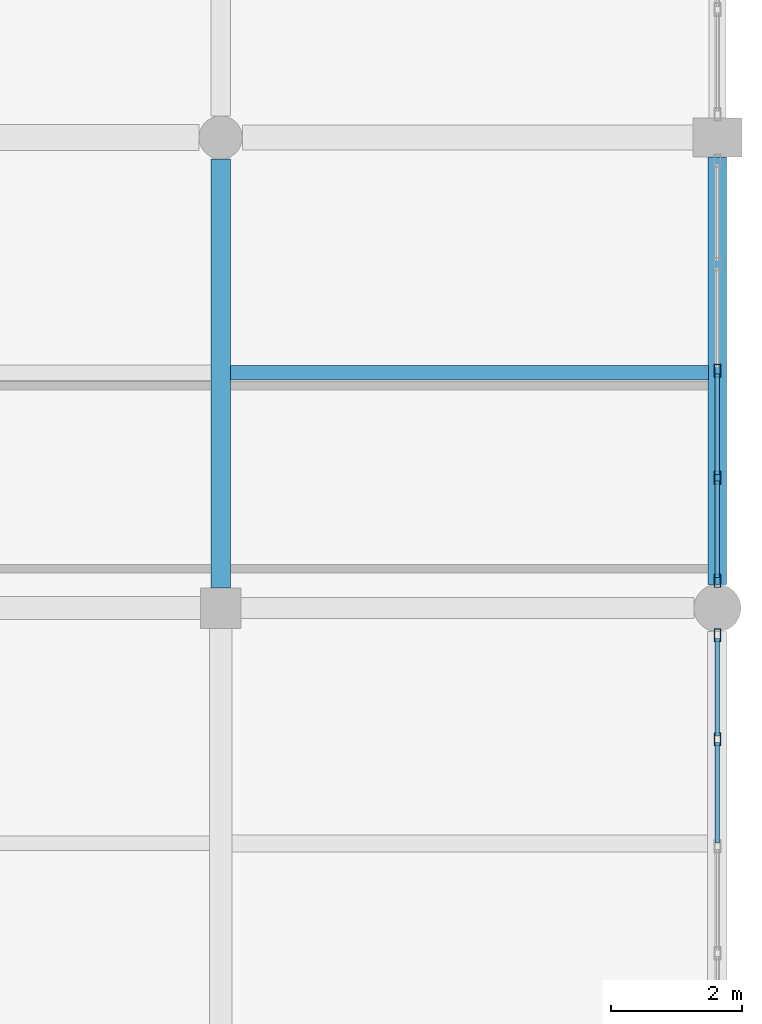
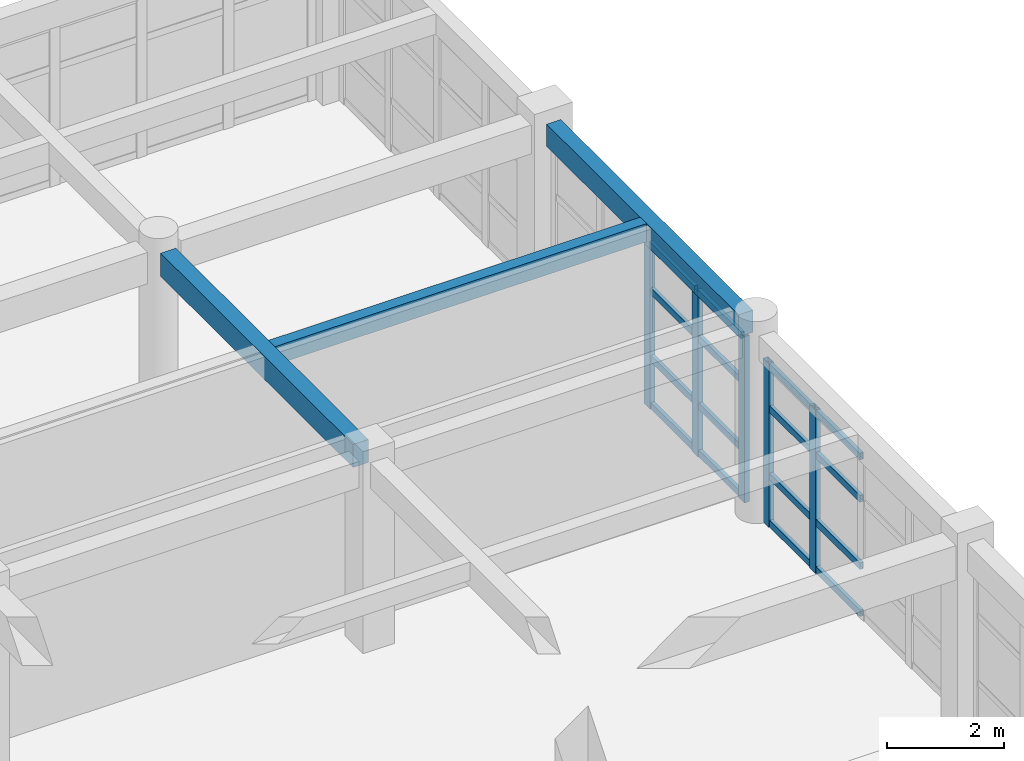
# One storey, part 139 of 195: 21 members, 3 beams, 2 elements without a shape of their own.
"""IFC4 building model written with IfcOpenShell, lengths in metres."""

from ifc_helpers import new_model, si_unit, direction, frame, origin, origin_2d, place, context, subcontext, project, spatial, rectangle, hollow_rectangle, extrude, material, material_profile, profile_set, type_object, element, aggregate, save


model = new_model("IFC4")

# Units and contexts
model_context = context("Model", 3, precision=1e-05, world=origin(), true_north=direction((0.0, 1.0)))
body_context = subcontext(model_context, "Body", "Model", "MODEL_VIEW")
ifc_project = project(units=[si_unit("LENGTHUNIT", "METRE"), si_unit("AREAUNIT", "SQUARE_METRE"), si_unit("VOLUMEUNIT", "CUBIC_METRE"), si_unit("PLANEANGLEUNIT", "RADIAN"), si_unit("MASSUNIT", "GRAM", prefix="KILO")], contexts=[model_context])

# Site, building, storey
site_placement = place(None, origin())
site = spatial("IfcSite", under=ifc_project, at=site_placement, CompositionType="ELEMENT")
building_placement = place(site_placement, origin())
building = spatial("IfcBuilding", under=site, at=building_placement, Name="Kharva Crest Polytechnic", CompositionType="ELEMENT")
storey_placement = place(building_placement, frame((0.0, 0.0, 9.0)))
storey = spatial("IfcBuildingStorey", under=building, at=storey_placement, Name="L02", CompositionType="ELEMENT", Elevation=9.0)

# Beam
ifc_material_1 = material(Name="Concrete C35/45", Category="concrete")
ifc_material_profile_1 = material_profile(ifc_material_1, rectangle(XDim=0.300048828125, YDim=0.47998046875, at=origin_2d()), Name="RECT 300 X 480")
ifc_profile_set_1 = profile_set([ifc_material_profile_1], Name="Concrete C35/45")
beam_type_1 = type_object("IfcBeamType", Name="BM-RC-300X480", PredefinedType="BEAM", material=ifc_profile_set_1)
beam_1_placement = place(storey_placement, frame((176.39990234375, 107.909912109375, 3.679931640625), z_axis=(0.0, 1.0, 0.0), x_axis=(-1.0, 0.0, 0.0)))
element("IfcBeam", 1, at=beam_1_placement, inside=storey, type_object=beam_type_1, Name="L02 Girder 23/Q-R", PredefinedType="BEAM", context=body_context, shape_type="SweptSolid", body=[
    extrude(rectangle(XDim=0.300048828125, YDim=0.47998046875, at=origin_2d()), origin(), (0.0, 0.0, 1.0), 6.56005859375),
])

# Curtain wall, members
ifc_material_2 = material(Name="Tempered insulated glass", Category="glass")
curtain_wall_type = type_object("IfcCurtainWallType", Name="CW-SYS-LIBRARY", PredefinedType="USERDEFINED", material=ifc_material_2)
curtain_wall_1_placement = place(storey_placement, origin())
curtain_wall_1 = element("IfcCurtainWall", 2, at=curtain_wall_1_placement, inside=storey, type_object=curtain_wall_type, Name="L02 Glazed Curtain Wall CW-110", ObjectType="CURTAIN WALL", PredefinedType="USERDEFINED")
ifc_material_3 = material(Name="Steel S355", Category="steel")
ifc_material_profile_2 = material_profile(ifc_material_3, hollow_rectangle(XDim=0.10009765625, YDim=0.199951171875, WallThickness=0.00634765625, at=origin_2d()), Name="RHS 200X100X6.3")
ifc_profile_set_2 = profile_set([ifc_material_profile_2], Name="Steel S355")
member_type_1 = type_object("IfcMemberType", Name="CWM-RHS200X100", PredefinedType="MULLION", material=ifc_profile_set_2)
member_1_placement = place(storey_placement, frame((184.0, 105.59619140625, 0.0), z_axis=(0.0, 0.0, 1.0), x_axis=(-1.0, 0.0, 0.0)))
member_1 = element("IfcMember", 3, at=member_1_placement, type_object=member_type_1, Name="CW-110 mullion 4", PredefinedType="MULLION", context=body_context, shape_type="SweptSolid", body=[
    extrude(hollow_rectangle(XDim=0.10009765625, YDim=0.199951171875, WallThickness=0.00634765625, at=origin_2d()), origin(), (0.0, 0.0, 1.0), 3.39990234375),
])
member_2_placement = place(storey_placement, frame((184.0, 107.18505859375, 0.0), z_axis=(0.0, 0.0, 1.0), x_axis=(-1.0, 0.0, 0.0)))
member_2 = element("IfcMember", 4, at=member_2_placement, type_object=member_type_1, Name="CW-110 mullion 5", PredefinedType="MULLION", context=body_context, shape_type="SweptSolid", body=[
    extrude(hollow_rectangle(XDim=0.10009765625, YDim=0.199951171875, WallThickness=0.00634765625, at=origin_2d()), origin(), (0.0, 0.0, 1.0), 3.39990234375),
])

curtain_wall_2_placement = place(storey_placement, origin())
curtain_wall_2 = element("IfcCurtainWall", 5, at=curtain_wall_2_placement, inside=storey, type_object=curtain_wall_type, Name="L02 Glazed Curtain Wall CW-111", ObjectType="CURTAIN WALL", PredefinedType="USERDEFINED")
member_3_placement = place(storey_placement, frame((184.0, 108.014892578125, 0.0), z_axis=(0.0, 0.0, 1.0), x_axis=(-1.0, 0.0, 0.0)))
member_3 = element("IfcMember", 6, at=member_3_placement, type_object=member_type_1, Name="CW-111 mullion 1", PredefinedType="MULLION", context=body_context, shape_type="SweptSolid", body=[
    extrude(hollow_rectangle(XDim=0.10009765625, YDim=0.199951171875, WallThickness=0.00634765625, at=origin_2d()), origin(), (0.0, 0.0, 1.0), 3.4599609375),
])
member_4_placement = place(storey_placement, frame((184.0, 109.597412109375, 0.0), z_axis=(0.0, 0.0, 1.0), x_axis=(-1.0, 0.0, 0.0)))
member_4 = element("IfcMember", 7, at=member_4_placement, type_object=member_type_1, Name="CW-111 mullion 2", PredefinedType="MULLION", context=body_context, shape_type="SweptSolid", body=[
    extrude(hollow_rectangle(XDim=0.10009765625, YDim=0.199951171875, WallThickness=0.00634765625, at=origin_2d()), origin(), (0.0, 0.0, 1.0), 3.4599609375),
])
member_5_placement = place(storey_placement, frame((184.0, 111.22998046875, 0.0), z_axis=(0.0, 0.0, 1.0), x_axis=(-1.0, 0.0, 0.0)))
member_5 = element("IfcMember", 8, at=member_5_placement, type_object=member_type_1, Name="CW-111 mullion 3", PredefinedType="MULLION", context=body_context, shape_type="SweptSolid", body=[
    extrude(hollow_rectangle(XDim=0.10009765625, YDim=0.199951171875, WallThickness=0.00634765625, at=origin_2d()), origin(), (0.0, 0.0, 1.0), 3.4599609375),
])

# Member
ifc_material_profile_3 = material_profile(ifc_material_3, hollow_rectangle(XDim=0.070068359375, YDim=0.139892578125, WallThickness=0.00390625, at=origin_2d()), Name="RHS 140X70X4.0")
ifc_profile_set_3 = profile_set([ifc_material_profile_3], Name="Steel S355")
member_type_2 = type_object("IfcMemberType", Name="CWT-RHS140X70", PredefinedType="USERDEFINED", material=ifc_profile_set_3)
member_6_placement = place(storey_placement, frame((184.0, 104.007568359375, 0.070068359375), z_axis=(0.0, 1.0, 0.0), x_axis=(-1.0, 0.0, 0.0)))
member_6 = element("IfcMember", 9, at=member_6_placement, type_object=member_type_2, Name="CW-110 transom 3.1", ObjectType="TRANSOM", PredefinedType="USERDEFINED", context=body_context, shape_type="SweptSolid", body=[
    extrude(hollow_rectangle(XDim=0.070068359375, YDim=0.139892578125, WallThickness=0.00390625, at=origin_2d()), origin(), (0.0, 0.0, 1.0), 1.53857421875),
])

member_7_placement = place(storey_placement, frame((184.0, 104.007568359375, 1.050048828125), z_axis=(0.0, 1.0, 0.0), x_axis=(-1.0, 0.0, 0.0)))
member_7 = element("IfcMember", 10, at=member_7_placement, type_object=member_type_2, Name="CW-110 transom 3.2", ObjectType="TRANSOM", PredefinedType="USERDEFINED", context=body_context, shape_type="SweptSolid", body=[
    extrude(hollow_rectangle(XDim=0.070068359375, YDim=0.139892578125, WallThickness=0.00390625, at=origin_2d()), origin(), (0.0, 0.0, 1.0), 1.53857421875),
])

member_8_placement = place(storey_placement, frame((184.0, 104.007568359375, 2.449951171875), z_axis=(0.0, 1.0, 0.0), x_axis=(-1.0, 0.0, 0.0)))
member_8 = element("IfcMember", 11, at=member_8_placement, type_object=member_type_2, Name="CW-110 transom 3.3", ObjectType="TRANSOM", PredefinedType="USERDEFINED", context=body_context, shape_type="SweptSolid", body=[
    extrude(hollow_rectangle(XDim=0.070068359375, YDim=0.139892578125, WallThickness=0.00390625, at=origin_2d()), origin(), (0.0, 0.0, 1.0), 1.53857421875),
])

member_9_placement = place(storey_placement, frame((184.0, 104.007568359375, 3.330078125), z_axis=(0.0, 1.0, 0.0), x_axis=(-1.0, 0.0, 0.0)))
member_9 = element("IfcMember", 12, at=member_9_placement, type_object=member_type_2, Name="CW-110 transom 3.4", ObjectType="TRANSOM", PredefinedType="USERDEFINED", context=body_context, shape_type="SweptSolid", body=[
    extrude(hollow_rectangle(XDim=0.070068359375, YDim=0.139892578125, WallThickness=0.00390625, at=origin_2d()), origin(), (0.0, 0.0, 1.0), 1.53857421875),
])

member_10_placement = place(storey_placement, frame((184.0, 105.646240234375, 0.070068359375), z_axis=(0.0, 1.0, 0.0), x_axis=(-1.0, 0.0, 0.0)))
member_10 = element("IfcMember", 13, at=member_10_placement, type_object=member_type_2, Name="CW-110 transom 4.1", ObjectType="TRANSOM", PredefinedType="USERDEFINED", context=body_context, shape_type="SweptSolid", body=[
    extrude(hollow_rectangle(XDim=0.070068359375, YDim=0.139892578125, WallThickness=0.00390625, at=origin_2d()), origin(), (0.0, 0.0, 1.0), 1.48876953125),
])

member_11_placement = place(storey_placement, frame((184.0, 105.646240234375, 1.050048828125), z_axis=(0.0, 1.0, 0.0), x_axis=(-1.0, 0.0, 0.0)))
member_11 = element("IfcMember", 14, at=member_11_placement, type_object=member_type_2, Name="CW-110 transom 4.2", ObjectType="TRANSOM", PredefinedType="USERDEFINED", context=body_context, shape_type="SweptSolid", body=[
    extrude(hollow_rectangle(XDim=0.070068359375, YDim=0.139892578125, WallThickness=0.00390625, at=origin_2d()), origin(), (0.0, 0.0, 1.0), 1.48876953125),
])

member_12_placement = place(storey_placement, frame((184.0, 105.646240234375, 2.449951171875), z_axis=(0.0, 1.0, 0.0), x_axis=(-1.0, 0.0, 0.0)))
member_12 = element("IfcMember", 15, at=member_12_placement, type_object=member_type_2, Name="CW-110 transom 4.3", ObjectType="TRANSOM", PredefinedType="USERDEFINED", context=body_context, shape_type="SweptSolid", body=[
    extrude(hollow_rectangle(XDim=0.070068359375, YDim=0.139892578125, WallThickness=0.00390625, at=origin_2d()), origin(), (0.0, 0.0, 1.0), 1.48876953125),
])

member_13_placement = place(storey_placement, frame((184.0, 105.646240234375, 3.330078125), z_axis=(0.0, 1.0, 0.0), x_axis=(-1.0, 0.0, 0.0)))
member_13 = element("IfcMember", 16, at=member_13_placement, type_object=member_type_2, Name="CW-110 transom 4.4", ObjectType="TRANSOM", PredefinedType="USERDEFINED", context=body_context, shape_type="SweptSolid", body=[
    extrude(hollow_rectangle(XDim=0.070068359375, YDim=0.139892578125, WallThickness=0.00390625, at=origin_2d()), origin(), (0.0, 0.0, 1.0), 1.48876953125),
])

aggregate(curtain_wall_1, [member_1, member_2, member_6, member_7, member_8, member_9, member_10, member_11, member_12, member_13])

member_14_placement = place(storey_placement, frame((184.0, 108.06494140625, 0.070068359375), z_axis=(0.0, 1.0, 0.0), x_axis=(-1.0, 0.0, 0.0)))
member_14 = element("IfcMember", 17, at=member_14_placement, type_object=member_type_2, Name="CW-111 transom 1.1", ObjectType="TRANSOM", PredefinedType="USERDEFINED", context=body_context, shape_type="SweptSolid", body=[
    extrude(hollow_rectangle(XDim=0.070068359375, YDim=0.139892578125, WallThickness=0.00390625, at=origin_2d()), origin(), (0.0, 0.0, 1.0), 1.482666015625),
])

member_15_placement = place(storey_placement, frame((184.0, 108.06494140625, 1.050048828125), z_axis=(0.0, 1.0, 0.0), x_axis=(-1.0, 0.0, 0.0)))
member_15 = element("IfcMember", 18, at=member_15_placement, type_object=member_type_2, Name="CW-111 transom 1.2", ObjectType="TRANSOM", PredefinedType="USERDEFINED", context=body_context, shape_type="SweptSolid", body=[
    extrude(hollow_rectangle(XDim=0.070068359375, YDim=0.139892578125, WallThickness=0.00390625, at=origin_2d()), origin(), (0.0, 0.0, 1.0), 1.482666015625),
])

member_16_placement = place(storey_placement, frame((184.0, 108.06494140625, 2.449951171875), z_axis=(0.0, 1.0, 0.0), x_axis=(-1.0, 0.0, 0.0)))
member_16 = element("IfcMember", 19, at=member_16_placement, type_object=member_type_2, Name="CW-111 transom 1.3", ObjectType="TRANSOM", PredefinedType="USERDEFINED", context=body_context, shape_type="SweptSolid", body=[
    extrude(hollow_rectangle(XDim=0.070068359375, YDim=0.139892578125, WallThickness=0.00390625, at=origin_2d()), origin(), (0.0, 0.0, 1.0), 1.482666015625),
])

member_17_placement = place(storey_placement, frame((184.0, 108.06494140625, 3.389892578125), z_axis=(0.0, 1.0, 0.0), x_axis=(-1.0, 0.0, 0.0)))
member_17 = element("IfcMember", 20, at=member_17_placement, type_object=member_type_2, Name="CW-111 transom 1.4", ObjectType="TRANSOM", PredefinedType="USERDEFINED", context=body_context, shape_type="SweptSolid", body=[
    extrude(hollow_rectangle(XDim=0.070068359375, YDim=0.139892578125, WallThickness=0.00390625, at=origin_2d()), origin(), (0.0, 0.0, 1.0), 1.482666015625),
])

member_18_placement = place(storey_placement, frame((184.0, 109.6474609375, 0.070068359375), z_axis=(0.0, 1.0, 0.0), x_axis=(-1.0, 0.0, 0.0)))
member_18 = element("IfcMember", 21, at=member_18_placement, type_object=member_type_2, Name="CW-111 transom 2.1", ObjectType="TRANSOM", PredefinedType="USERDEFINED", context=body_context, shape_type="SweptSolid", body=[
    extrude(hollow_rectangle(XDim=0.070068359375, YDim=0.139892578125, WallThickness=0.00390625, at=origin_2d()), origin(), (0.0, 0.0, 1.0), 1.532470703125),
])

member_19_placement = place(storey_placement, frame((184.0, 109.6474609375, 1.050048828125), z_axis=(0.0, 1.0, 0.0), x_axis=(-1.0, 0.0, 0.0)))
member_19 = element("IfcMember", 22, at=member_19_placement, type_object=member_type_2, Name="CW-111 transom 2.2", ObjectType="TRANSOM", PredefinedType="USERDEFINED", context=body_context, shape_type="SweptSolid", body=[
    extrude(hollow_rectangle(XDim=0.070068359375, YDim=0.139892578125, WallThickness=0.00390625, at=origin_2d()), origin(), (0.0, 0.0, 1.0), 1.532470703125),
])

member_20_placement = place(storey_placement, frame((184.0, 109.6474609375, 2.449951171875), z_axis=(0.0, 1.0, 0.0), x_axis=(-1.0, 0.0, 0.0)))
member_20 = element("IfcMember", 23, at=member_20_placement, type_object=member_type_2, Name="CW-111 transom 2.3", ObjectType="TRANSOM", PredefinedType="USERDEFINED", context=body_context, shape_type="SweptSolid", body=[
    extrude(hollow_rectangle(XDim=0.070068359375, YDim=0.139892578125, WallThickness=0.00390625, at=origin_2d()), origin(), (0.0, 0.0, 1.0), 1.532470703125),
])

member_21_placement = place(storey_placement, frame((184.0, 109.6474609375, 3.389892578125), z_axis=(0.0, 1.0, 0.0), x_axis=(-1.0, 0.0, 0.0)))
member_21 = element("IfcMember", 24, at=member_21_placement, type_object=member_type_2, Name="CW-111 transom 2.4", ObjectType="TRANSOM", PredefinedType="USERDEFINED", context=body_context, shape_type="SweptSolid", body=[
    extrude(hollow_rectangle(XDim=0.070068359375, YDim=0.139892578125, WallThickness=0.00390625, at=origin_2d()), origin(), (0.0, 0.0, 1.0), 1.532470703125),
])

aggregate(curtain_wall_2, [member_3, member_4, member_5, member_14, member_15, member_16, member_17, member_18, member_19, member_20, member_21])

# Beams
ifc_material_profile_4 = material_profile(ifc_material_1, rectangle(XDim=0.219970703125, YDim=0.3798828125, at=origin_2d()), Name="RECT 220 X 380")
ifc_profile_set_4 = profile_set([ifc_material_profile_4], Name="Concrete C35/45")
beam_type_2 = type_object("IfcBeamType", Name="JS-RC-220X380", PredefinedType="JOIST", material=ifc_profile_set_4)
beam_2_placement = place(storey_placement, frame((176.550048828125, 111.199951171875, 3.72998046875), z_axis=(1.0, 0.0, 0.0), x_axis=(0.0, 1.0, 0.0)))
element("IfcBeam", 25, at=beam_2_placement, inside=storey, type_object=beam_type_2, Name="L02 Floor Joist 52", PredefinedType="JOIST", context=body_context, shape_type="SweptSolid", body=[
    extrude(rectangle(XDim=0.219970703125, YDim=0.3798828125, at=origin_2d()), origin(), (0.0, 0.0, 1.0), 7.31005859375),
])
ifc_material_profile_5 = material_profile(ifc_material_1, rectangle(XDim=0.280029296875, YDim=0.4599609375, at=origin_2d()), Name="RECT 280 X 460")
ifc_profile_set_5 = profile_set([ifc_material_profile_5], Name="Concrete C35/45")
beam_type_3 = type_object("IfcBeamType", Name="SP-RC-280X460", PredefinedType="SPANDREL", material=ifc_profile_set_5)
beam_3_placement = place(storey_placement, frame((184.0, 107.9599609375, 3.68994140625), z_axis=(0.0, 1.0, 0.0), x_axis=(-1.0, 0.0, 0.0)))
element("IfcBeam", 26, at=beam_3_placement, inside=storey, type_object=beam_type_3, Name="L02 Girder 24/Q-R", PredefinedType="SPANDREL", context=body_context, shape_type="SweptSolid", body=[
    extrude(rectangle(XDim=0.280029296875, YDim=0.4599609375, at=origin_2d()), origin(), (0.0, 0.0, 1.0), 6.5400390625),
])

save(model, "model.ifc")
